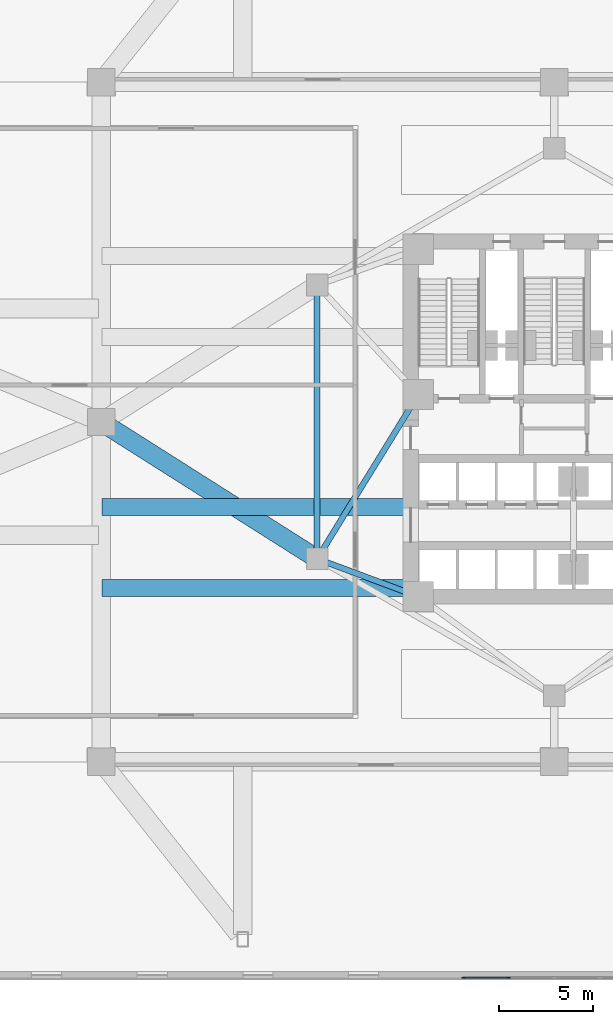
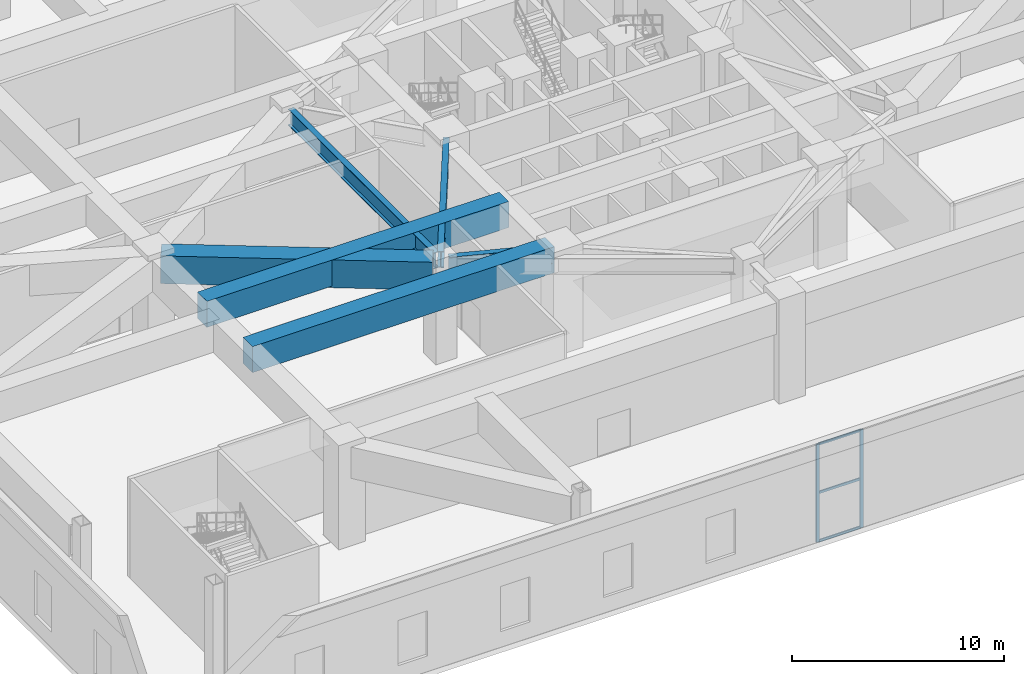
# One storey, part 3 of 24: 6 beams, 5 members, 1 element without a shape of its own.
"""IFC4 building model written with IfcOpenShell, lengths in metres."""

from ifc_helpers import new_model, si_unit, direction, frame, origin, origin_2d, place, context, subcontext, project, spatial, rectangle, hollow_rectangle, i_section, extrude, material, layer, layer_set, material_profile, profile_set, type_object, element, aggregate, save


model = new_model("IFC4")

# Units and contexts
model_context = context("Model", 3, precision=1e-05, world=origin(), true_north=direction((0.0, 1.0)))
body_context = subcontext(model_context, "Body", "Model", "MODEL_VIEW")
ifc_project = project(units=[si_unit("LENGTHUNIT", "METRE"), si_unit("AREAUNIT", "SQUARE_METRE"), si_unit("VOLUMEUNIT", "CUBIC_METRE"), si_unit("PLANEANGLEUNIT", "RADIAN"), si_unit("MASSUNIT", "GRAM", prefix="KILO")], contexts=[model_context])

# Site, building, storey
site_placement = place(None, origin())
site = spatial("IfcSite", under=ifc_project, at=site_placement, CompositionType="ELEMENT")
building_placement = place(site_placement, origin())
building = spatial("IfcBuilding", under=site, at=building_placement, Name="Apsidion Concourse Tower", CompositionType="ELEMENT")
storey_placement = place(building_placement, frame((0.0, 0.0, 17.5)))
storey = spatial("IfcBuildingStorey", under=building, at=storey_placement, Name="L03", CompositionType="ELEMENT", Elevation=17.5)

# Beams
ifc_material_1 = material(Name="Structural steel ASTM A992 Grade 50", Category="steel")
ifc_material_profile_1 = material_profile(ifc_material_1, i_section(OverallWidth=0.31005859375, OverallDepth=0.931884765625, WebThickness=0.02099609375, FlangeThickness=0.034423828125, at=origin_2d()), Name="W36X210")
ifc_profile_set_1 = profile_set([ifc_material_profile_1], Name="Structural steel ASTM A992 Grade 50")
beam_type_1 = type_object("IfcBeamType", Name="BM-G-W36", PredefinedType="USERDEFINED", material=ifc_profile_set_1)
beam_1_placement = place(storey_placement, frame((-12.185302734375, -7.389892578125, 5.23388671875), z_axis=(0.936913021145, -0.349562570664, 0.0), x_axis=(0.349562570664, 0.936913021145, 0.0)))
element("IfcBeam", 1, at=beam_1_placement, inside=storey, type_object=beam_type_1, Name="L03 Core Coupling Girder IC1-SC1", ObjectType="GIRDER", PredefinedType="USERDEFINED", context=body_context, shape_type="SweptSolid", body=[
    extrude(i_section(OverallWidth=0.31005859375, OverallDepth=0.931884765625, WebThickness=0.02099609375, FlangeThickness=0.034423828125, at=origin_2d()), origin(), (0.0, 0.0, 1.0), 4.921142578125),
])
beam_2_placement = place(storey_placement, frame((-12.35009765625, -6.909423828125, 5.23388671875), z_axis=(0.524524009763, 0.851395656074, 0.0), x_axis=(-0.851395656074, 0.524524009763, 0.0)))
element("IfcBeam", 2, at=beam_2_placement, inside=storey, type_object=beam_type_1, Name="L03 Core Coupling Girder IC1-SC6", ObjectType="GIRDER", PredefinedType="USERDEFINED", context=body_context, shape_type="SweptSolid", body=[
    extrude(i_section(OverallWidth=0.31005859375, OverallDepth=0.931884765625, WebThickness=0.02099609375, FlangeThickness=0.034423828125, at=origin_2d()), origin(), (0.0, 0.0, 1.0), 9.41845703125),
])
beam_3_placement = place(storey_placement, frame((-12.56005859375, -6.85009765625, 5.23388671875), z_axis=(0.0, 1.0, 0.0), x_axis=(-1.0, 0.0, 0.0)))
element("IfcBeam", 3, at=beam_3_placement, inside=storey, type_object=beam_type_1, Name="L03 Core Coupling Girder IC1-IC5", ObjectType="GIRDER", PredefinedType="USERDEFINED", context=body_context, shape_type="SweptSolid", body=[
    extrude(i_section(OverallWidth=0.31005859375, OverallDepth=0.931884765625, WebThickness=0.02099609375, FlangeThickness=0.034423828125, at=origin_2d()), origin(), (0.0, 0.0, 1.0), 13.7001953125),
])
ifc_material_2 = material(Name="Concrete C50/60", Category="concrete")
ifc_material_profile_2 = material_profile(ifc_material_2, rectangle(XDim=0.89990234375, YDim=1.5, at=origin_2d()), Name="RC 900x1500")
ifc_profile_set_2 = profile_set([ifc_material_profile_2], Name="Concrete C50/60")
beam_type_2 = type_object("IfcBeamType", Name="BM-TB-RC15", PredefinedType="T_BEAM", material=ifc_profile_set_2)
for number, where, z_axis, x_axis, name in (
    (4, (-23.949951171875, -8.800048828125, 4.949951171875), (1.0, 0.0, 0.0), (0.0, 1.0, 0.0), "L03 Convention Long-Span Tee Beam W1"),
    (5, (-23.949951171875, -4.5, 4.949951171875), (1.0, 0.0, 0.0), (0.0, 1.0, 0.0), "L03 Convention Long-Span Tee Beam W2"),
):
    element("IfcBeam", number, at=place(storey_placement, frame(where, z_axis=z_axis, x_axis=x_axis)), inside=storey, type_object=beam_type_2, Name=name, PredefinedType="T_BEAM", context=body_context, shape_type="SweptSolid", body=[
        extrude(rectangle(XDim=0.89990234375, YDim=1.5, at=origin_2d()), origin(), (0.0, 0.0, 1.0), 16.449951171875),
    ])
ifc_material_3 = material(Name="Structural steel ASTM A572 Grade 50", Category="steel")
ifc_material_profile_3 = material_profile(ifc_material_3, hollow_rectangle(XDim=1.0, YDim=1.60009765625, WallThickness=0.074951171875, at=origin_2d()), Name="BOX1600X1000X75")
ifc_profile_set_3 = profile_set([ifc_material_profile_3], Name="Structural steel ASTM A572 Grade 50")
beam_type_3 = type_object("IfcBeamType", Name="BM-TR-1600", PredefinedType="USERDEFINED", material=ifc_profile_set_3)
beam_4_placement = place(storey_placement, frame((-23.704345703125, -0.1875, 4.89990234375), z_axis=(0.844671254714, -0.535285411215, 0.0), x_axis=(0.535285411215, 0.844671254714, 0.0)))
element("IfcBeam", 6, at=beam_4_placement, inside=storey, type_object=beam_type_3, Name="L03 Podium Girder MC3-IC1", ObjectType="GIRDER", PredefinedType="USERDEFINED", context=body_context, shape_type="SweptSolid", body=[
    extrude(hollow_rectangle(XDim=1.0, YDim=1.60009765625, WallThickness=0.074951171875, at=origin_2d()), origin(), (0.0, 0.0, 1.0), 12.843505859375),
])

# Curtain wall, members
ifc_material_4 = material(Name="Insulated laminated low-E glass", Category="glass")
ifc_layer = layer(ifc_material_4, 0.199951171875)
ifc_layer_set = layer_set([ifc_layer], Name="Insulated laminated low-E glass")
curtain_wall_type = type_object("IfcCurtainWallType", Name="CW-SYS-02", PredefinedType="NOTDEFINED", material=ifc_layer_set)
curtain_wall_placement = place(storey_placement, origin())
curtain_wall = element("IfcCurtainWall", 7, at=curtain_wall_placement, inside=storey, type_object=curtain_wall_type, Name="L03 Podium Glazed Curtain Wall S", PredefinedType="NOTDEFINED")
ifc_material_5 = material(Name="Anodised aluminium EN AW-6063 T6", Category="aluminium")
ifc_material_profile_4 = material_profile(ifc_material_5, rectangle(XDim=0.06494140625, YDim=0.179931640625, at=origin_2d()), Name="ALU MULLION 65x180")
ifc_profile_set_4 = profile_set([ifc_material_profile_4], Name="Anodised aluminium EN AW-6063 T6")
member_type_1 = type_object("IfcMemberType", Name="CWM-65X180", PredefinedType="MULLION", material=ifc_profile_set_4)
member_1_placement = place(storey_placement, frame((-2.41796875, -29.43994140625, 0.0), z_axis=(0.0, 0.0, 1.0), x_axis=(0.0, -1.0, 0.0)))
member_1 = element("IfcMember", 8, at=member_1_placement, type_object=member_type_1, Name="CW-02 mullion 4", PredefinedType="MULLION", context=body_context, shape_type="SweptSolid", body=[
    extrude(rectangle(XDim=0.06494140625, YDim=0.179931640625, at=origin_2d()), origin(), (0.0, 0.0, 1.0), 5.64990234375),
])
member_2_placement = place(storey_placement, frame((-4.803466796875, -29.43994140625, 0.0), z_axis=(0.0, 0.0, 1.0), x_axis=(0.0, -1.0, 0.0)))
member_2 = element("IfcMember", 9, at=member_2_placement, type_object=member_type_1, Name="CW-02 mullion 5", PredefinedType="MULLION", context=body_context, shape_type="SweptSolid", body=[
    extrude(rectangle(XDim=0.06494140625, YDim=0.179931640625, at=origin_2d()), origin(), (0.0, 0.0, 1.0), 5.64990234375),
])
ifc_material_profile_5 = material_profile(ifc_material_5, rectangle(XDim=0.06494140625, YDim=0.139892578125, at=origin_2d()), Name="ALU TRANSOM 65x140")
ifc_profile_set_5 = profile_set([ifc_material_profile_5], Name="Anodised aluminium EN AW-6063 T6")
member_type_2 = type_object("IfcMemberType", Name="CWT-65X140", PredefinedType="USERDEFINED", material=ifc_profile_set_5)
member_3_placement = place(storey_placement, frame((-2.450439453125, -29.43994140625, 0.032470703125), z_axis=(-1.0, 0.0, 0.0), x_axis=(0.0, -1.0, 0.0)))
member_3 = element("IfcMember", 10, at=member_3_placement, type_object=member_type_2, Name="CW-02 transom 4.1", ObjectType="TRANSOM", PredefinedType="USERDEFINED", context=body_context, shape_type="SweptSolid", body=[
    extrude(rectangle(XDim=0.06494140625, YDim=0.139892578125, at=origin_2d()), origin(), (0.0, 0.0, 1.0), 2.320556640625),
])
member_4_placement = place(storey_placement, frame((-2.450439453125, -29.43994140625, 2.824951171875), z_axis=(-1.0, 0.0, 0.0), x_axis=(0.0, -1.0, 0.0)))
member_4 = element("IfcMember", 11, at=member_4_placement, type_object=member_type_2, Name="CW-02 transom 4.2", ObjectType="TRANSOM", PredefinedType="USERDEFINED", context=body_context, shape_type="SweptSolid", body=[
    extrude(rectangle(XDim=0.06494140625, YDim=0.139892578125, at=origin_2d()), origin(), (0.0, 0.0, 1.0), 2.320556640625),
])
member_5_placement = place(storey_placement, frame((-2.450439453125, -29.43994140625, 5.617431640625), z_axis=(-1.0, 0.0, 0.0), x_axis=(0.0, -1.0, 0.0)))
member_5 = element("IfcMember", 12, at=member_5_placement, type_object=member_type_2, Name="CW-02 transom 4.3", ObjectType="TRANSOM", PredefinedType="USERDEFINED", context=body_context, shape_type="SweptSolid", body=[
    extrude(rectangle(XDim=0.06494140625, YDim=0.139892578125, at=origin_2d()), origin(), (0.0, 0.0, 1.0), 2.320556640625),
])
aggregate(curtain_wall, [member_1, member_2, member_3, member_4, member_5])

save(model, "model.ifc")
